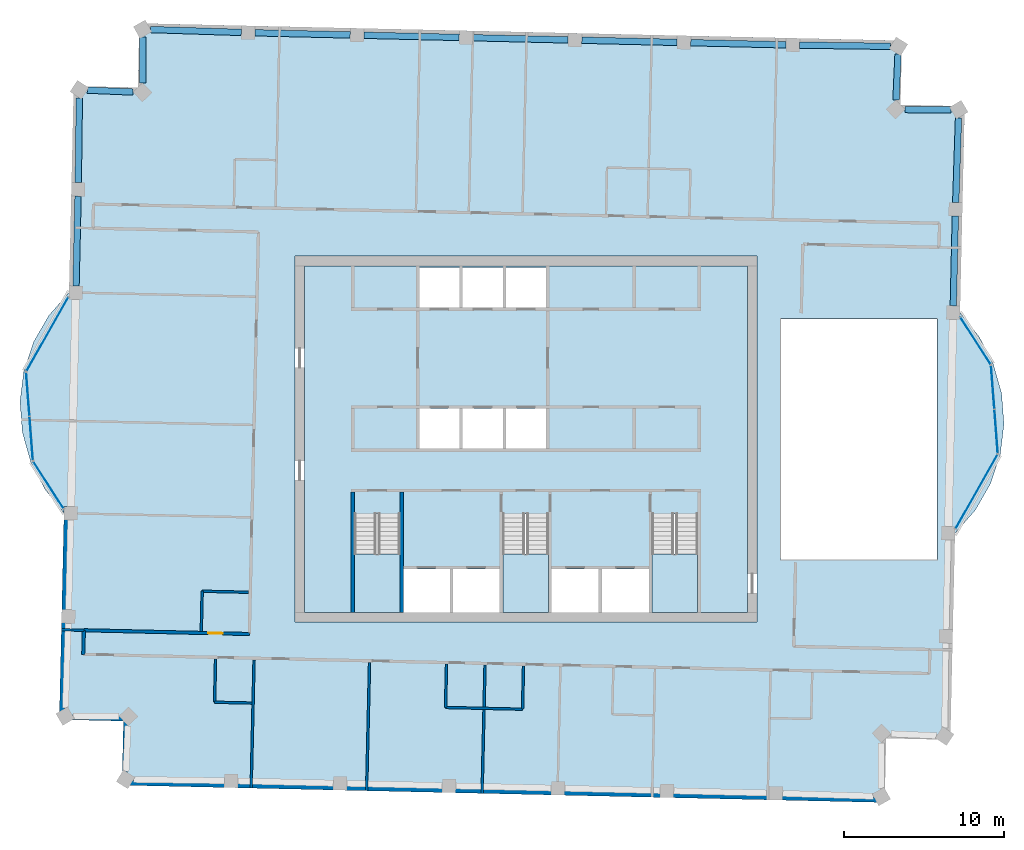
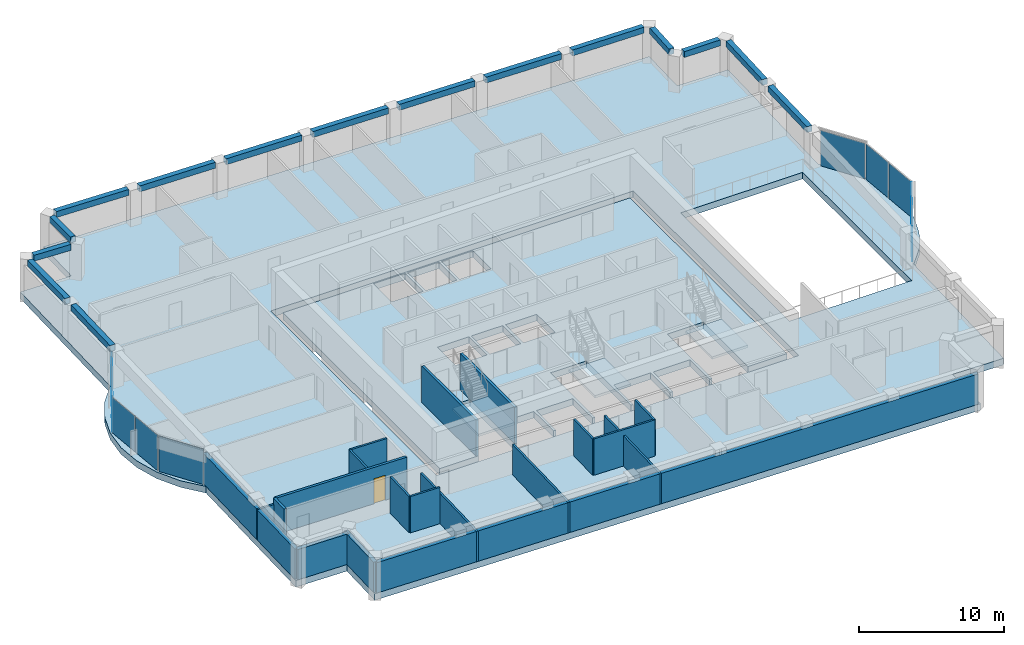
# One storey, part 5 of 11: 19 walls, 15 beams, 8 plates, 5 slabs, 1 door, 1 opening, 9 elements without a shape of their own.
"""IFC4 building model written with IfcOpenShell, lengths in metres."""

import ifcopenshell
import ifcopenshell.guid

model = None  # the IFC model being written
_history = None  # IfcOwnerHistory: only IFC2X3 demands one
_inside = {}  # id of a spatial element -> (the spatial element, [elements in it])
_under = {}  # id of a project, library or spatial element -> (it, [spatial elements below it])
_declared = {}  # id of a project -> (the project, [libraries it declares])
_typed = {}  # id of a type object -> (the type object, [elements of that type])
_made_of = {}  # id of a material, layer set ... -> (it, [elements and type objects made of it])


def new_model(schema):
    """Start an empty IFC model of exactly this schema.

    Asked for "IFC4X3", IfcOpenShell would pick the latest addendum, in which some entities
    have other attributes; the version numbers below select the first issue.
    IFC2X3 requires an IfcOwnerHistory on every rooted entity: one is made here for all.
    """
    global model, _history
    if schema == "IFC4X3":
        model = ifcopenshell.file(schema_version=(4, 3, 0, 0))
    else:
        model = ifcopenshell.file(schema=schema)
    _inside.clear()
    _under.clear()
    _declared.clear()
    _typed.clear()
    _made_of.clear()
    _history = None
    if model.schema == "IFC2X3":
        org = make("IfcOrganization", Name="unknown")
        user = make(
            "IfcPersonAndOrganization",
            ThePerson=make("IfcPerson", FamilyName="unknown"),
            TheOrganization=org,
        )
        app = make(
            "IfcApplication",
            ApplicationDeveloper=org,
            Version="unknown",
            ApplicationFullName="unknown",
            ApplicationIdentifier="unknown",
        )
        _history = make(
            "IfcOwnerHistory",
            OwningUser=user,
            OwningApplication=app,
            ChangeAction="ADDED",
            CreationDate=0,
        )
    return model


def make(cls, **values):
    """One entity of the class cls with the attributes given. An attribute that is None is left unset."""
    return model.create_entity(
        cls, **{name: value for name, value in values.items() if value is not None}
    )


def rooted(cls, **values):
    """An entity with a GlobalId (a new one), such as an element, a storey or a relation."""
    return make(cls, GlobalId=ifcopenshell.guid.new(), OwnerHistory=_history, **values)


def si_unit(unit_type, name, prefix=None):
    """IfcSIUnit, for example si_unit("LENGTHUNIT", "METRE", prefix="MILLI")."""
    return make("IfcSIUnit", UnitType=unit_type, Prefix=prefix, Name=name)


def assignment(units):
    """IfcUnitAssignment: the units of a project."""
    return None if units is None else make("IfcUnitAssignment", Units=units)


def point(xyz):
    """IfcCartesianPoint."""
    return None if xyz is None else make("IfcCartesianPoint", Coordinates=xyz)


def direction(xyz):
    """IfcDirection."""
    return None if xyz is None else make("IfcDirection", DirectionRatios=xyz)


def frame(location, z_axis=None, x_axis=None):
    """IfcAxis2Placement3D, a coordinate frame: its origin and axes. An axis left out is left unset."""
    return make(
        "IfcAxis2Placement3D",
        Location=point(location),
        Axis=direction(z_axis),
        RefDirection=direction(x_axis),
    )


def frame_2d(location, x_axis=None):
    """IfcAxis2Placement2D, a coordinate frame in the plane: its origin and x axis."""
    return make(
        "IfcAxis2Placement2D", Location=point(location), RefDirection=direction(x_axis)
    )


def origin():
    """The frame at (0, 0, 0) with its axes left unset."""
    return frame((0.0, 0.0, 0.0))


def origin_2d():
    """The frame at (0, 0) in the plane with its x axis left unset."""
    return frame_2d((0.0, 0.0))


def place(relative_to, where):
    """IfcLocalPlacement: puts the frame where relative to a parent placement (None: the world)."""
    return make(
        "IfcLocalPlacement", PlacementRelTo=relative_to, RelativePlacement=where
    )


def context(
    kind, dimensions, precision=None, world=None, true_north=None, identifier=None
):
    """IfcGeometricRepresentationContext, for example the 3D "Model" context."""
    return make(
        "IfcGeometricRepresentationContext",
        ContextIdentifier=identifier,
        ContextType=kind,
        CoordinateSpaceDimension=dimensions,
        Precision=precision,
        WorldCoordinateSystem=world,
        TrueNorth=true_north,
    )


def subcontext(parent, identifier, kind, view, scale=None):
    """IfcGeometricRepresentationSubContext, for example "Body" below "Model"."""
    return make(
        "IfcGeometricRepresentationSubContext",
        ContextIdentifier=identifier,
        ContextType=kind,
        ParentContext=parent,
        TargetScale=scale,
        TargetView=view,
    )


def project(units=None, contexts=None):
    """IfcProject with its units and contexts."""
    return rooted(
        "IfcProject",
        Name="project",
        RepresentationContexts=contexts,
        UnitsInContext=assignment(units),
    )


def spatial(cls, under=None, at=None, **own):
    """A site, building, storey or space (cls), placed at a placement, below another one or the project."""
    s = rooted(cls, ObjectPlacement=at, **own)
    if under is not None:
        _under.setdefault(under.id(), (under, []))[1].append(s)
    return s


def polyline(points):
    """IfcPolyline through the points."""
    return make("IfcPolyline", Points=[point(p) for p in points])


def profile(cls, at=None, kind="AREA", **sizes):
    """A parametric profile (cls). Its sizes go by their IFC names, for example OverallWidth=200.0."""
    return make(cls, ProfileType=kind, Position=at, **sizes)


def rectangle(**sizes):
    """IfcRectangleProfileDef."""
    return profile("IfcRectangleProfileDef", **sizes)


def outline(outer, holes=None, kind="AREA"):
    """IfcArbitraryClosedProfileDef: a profile drawn as a closed curve; with holes, ...WithVoids."""
    if holes is None:
        return make("IfcArbitraryClosedProfileDef", ProfileType=kind, OuterCurve=outer)
    return make(
        "IfcArbitraryProfileDefWithVoids",
        ProfileType=kind,
        OuterCurve=outer,
        InnerCurves=holes,
    )


def extrude(swept, where, along, depth):
    """IfcExtrudedAreaSolid: the profile swept, set in the frame where, extruded along a direction by depth."""
    return make(
        "IfcExtrudedAreaSolid",
        SweptArea=swept,
        Position=where,
        ExtrudedDirection=direction(along),
        Depth=depth,
    )


def shape(context_of_items, identifier, shape_type, items):
    """IfcShapeRepresentation: the items that make up one representation, for example the "Body"."""
    return make(
        "IfcShapeRepresentation",
        ContextOfItems=context_of_items,
        RepresentationIdentifier=identifier,
        RepresentationType=shape_type,
        Items=items,
    )


def material(Name=None, Category=None):
    """IfcMaterial."""
    return make("IfcMaterial", Name=Name, Category=Category)


def layer(
    of_material, thickness, ventilated=None, Name=None, Category=None, Priority=None
):
    """IfcMaterialLayer: one layer of a wall or slab, of a material (None: an air gap)."""
    return make(
        "IfcMaterialLayer",
        Material=of_material,
        LayerThickness=thickness,
        IsVentilated=ventilated,
        Name=Name,
        Category=Category,
        Priority=Priority,
    )


def layer_set(layers, Name=None):
    """IfcMaterialLayerSet."""
    return make("IfcMaterialLayerSet", MaterialLayers=layers, LayerSetName=Name)


def material_profile(
    of_material, cross_section, Name=None, Category=None, Priority=None
):
    """IfcMaterialProfile: a cross section and its material."""
    return make(
        "IfcMaterialProfile",
        Name=Name,
        Material=of_material,
        Profile=cross_section,
        Priority=Priority,
        Category=Category,
    )


def profile_set(profiles, Name=None, composite=None):
    """IfcMaterialProfileSet."""
    return make(
        "IfcMaterialProfileSet",
        Name=Name,
        MaterialProfiles=profiles,
        CompositeProfile=composite,
    )


def made_of(thing, what):
    """Note that an element or type object is made of a material, layer set ...; save() writes the relation."""
    if what is not None:
        _made_of.setdefault(what.id(), (what, []))[1].append(thing)
    return thing


def type_object(cls, material=None, **own):
    """A type object (cls), such as IfcWallType, which elements share."""
    return made_of(rooted(cls, **own), material)


def element(
    cls,
    number,
    at=None,
    inside=None,
    cuts=None,
    type_object=None,
    material=None,
    context=None,
    identifier="Body",
    shape_type=None,
    held_by="IfcProductDefinitionShape",
    body=None,
    shapes=None,
    **own,
):
    """One element of the class cls, such as IfcWall. Its Tag is "e" and its number.

    at: its placement. inside: the storey or other place that contains it. cuts: it is an
    opening in that element (IfcRelVoidsElement). A single representation is given by context,
    identifier, shape_type and body (its items); several are given by shapes. held_by: the class
    of the entity that holds the representations. save() writes the other relations.
    """
    e = rooted(cls, Tag="e%d" % number, ObjectPlacement=at, **own)
    if body is not None:
        shapes = [shape(context, identifier, shape_type, body)]
    if shapes is not None:
        e.Representation = make(held_by, Representations=shapes)
    if inside is not None:
        _inside.setdefault(inside.id(), (inside, []))[1].append(e)
    if cuts is not None:
        rooted(
            "IfcRelVoidsElement", RelatingBuildingElement=cuts, RelatedOpeningElement=e
        )
    if type_object is not None:
        _typed.setdefault(type_object.id(), (type_object, []))[1].append(e)
    return made_of(e, material)


def fill(opening, filler):
    """IfcRelFillsElement: the door or window that sits in an opening."""
    return rooted(
        "IfcRelFillsElement",
        RelatingOpeningElement=opening,
        RelatedBuildingElement=filler,
    )


def aggregate(whole, parts):
    """IfcRelAggregates: a whole, such as a stair, and the parts it consists of."""
    return rooted("IfcRelAggregates", RelatingObject=whole, RelatedObjects=parts)


def save(model, path):
    """Write the relations noted so far, then the file.

    IfcRelAggregates (storeys below a building ...), IfcRelContainedInSpatialStructure (elements
    in a storey), IfcRelDefinesByType, IfcRelAssociatesMaterial and IfcRelDeclares: one each for
    every whole, place, type object, material and project.
    """
    for whole, parts in _under.values():
        aggregate(whole, parts)
    for where, things in _inside.values():
        rooted(
            "IfcRelContainedInSpatialStructure",
            RelatedElements=things,
            RelatingStructure=where,
        )
    for kind, things in _typed.values():
        rooted("IfcRelDefinesByType", RelatedObjects=things, RelatingType=kind)
    for what, things in _made_of.values():
        rooted("IfcRelAssociatesMaterial", RelatedObjects=things, RelatingMaterial=what)
    for by, libraries in _declared.values():
        rooted("IfcRelDeclares", RelatingContext=by, RelatedDefinitions=libraries)
    model.write(path)


model = new_model("IFC4")

# Units and contexts
model_context = context("Model", 3, precision=1e-05, world=origin(), true_north=direction((0.0, 1.0)))
body_context = subcontext(model_context, "Body", "Model", "MODEL_VIEW")
ifc_project = project(units=[si_unit("LENGTHUNIT", "METRE"), si_unit("AREAUNIT", "SQUARE_METRE"), si_unit("VOLUMEUNIT", "CUBIC_METRE"), si_unit("PLANEANGLEUNIT", "RADIAN"), si_unit("MASSUNIT", "GRAM", prefix="KILO")], contexts=[model_context])

# Site, building, storey
site_placement = place(None, origin())
site = spatial("IfcSite", under=ifc_project, at=site_placement, CompositionType="ELEMENT")
building_placement = place(site_placement, origin())
building = spatial("IfcBuilding", under=site, at=building_placement, Name="Mangrove Gate Tower", CompositionType="ELEMENT")
storey_placement = place(building_placement, frame((0.0, 0.0, 334.300048828125)))
storey = spatial("IfcBuildingStorey", under=building, at=storey_placement, Name="L85", CompositionType="ELEMENT", Elevation=334.300048828125)

# Beams
ifc_material_1 = material(Name="Concrete C50/60", Category="concrete")
ifc_material_profile = material_profile(ifc_material_1, rectangle(XDim=0.39990234375, YDim=0.5, at=origin_2d()))
ifc_profile_set = profile_set([ifc_material_profile], Name="Concrete C50/60")
beam_type = type_object("IfcBeamType", Name="Edge beam RC 400x500 C50/60", PredefinedType="BEAM", material=ifc_profile_set)
beam_1_placement = place(storey_placement, frame((26.6337890625, 8.3115234375, 2.800048828125), z_axis=(0.022676742229, 0.999742849618, 0.0), x_axis=(-0.999742849618, 0.022676742229, 0.0)))
element("IfcBeam", 1, at=beam_1_placement, inside=storey, type_object=beam_type, Name="Edge beam L85 16", PredefinedType="BEAM", context=body_context, shape_type="SweptSolid", body=[
    extrude(rectangle(XDim=0.39990234375, YDim=0.5, at=origin_2d()), origin(), (0.0, 0.0, 1.0), 5.587646484375),
])
beam_2_placement = place(storey_placement, frame((26.7841796875, 14.747314453125, 2.800048828125), z_axis=(0.032988692106, 0.999455724979, 0.0), x_axis=(-0.999455724979, 0.032988692106, 0.0)))
element("IfcBeam", 2, at=beam_2_placement, inside=storey, type_object=beam_type, Name="Edge beam L85 17", PredefinedType="BEAM", context=body_context, shape_type="SweptSolid", body=[
    extrude(rectangle(XDim=0.39990234375, YDim=0.5, at=origin_2d()), origin(), (0.0, 0.0, 1.0), 5.2841796875),
])
beam_3_placement = place(storey_placement, frame((26.48046875, 20.53369140625, 2.800048828125), z_axis=(-0.999994153944, 0.00341936794, 0.0), x_axis=(-0.00341936794, -0.999994153944, 0.0)))
element("IfcBeam", 3, at=beam_3_placement, inside=storey, type_object=beam_type, Name="Edge beam L85 18", PredefinedType="BEAM", context=body_context, shape_type="SweptSolid", body=[
    extrude(rectangle(XDim=0.39990234375, YDim=0.5, at=origin_2d()), origin(), (0.0, 0.0, 1.0), 2.85595703125),
])
beam_4_placement = place(storey_placement, frame((23.060791015625, 21.13330078125, 2.800048828125), z_axis=(0.044307836556, 0.999017925575, 0.0), x_axis=(-0.999017925575, 0.044307836556, 0.0)))
element("IfcBeam", 4, at=beam_4_placement, inside=storey, type_object=beam_type, Name="Edge beam L85 19", PredefinedType="BEAM", context=body_context, shape_type="SweptSolid", body=[
    extrude(rectangle(XDim=0.39990234375, YDim=0.5, at=origin_2d()), origin(), (0.0, 0.0, 1.0), 2.85986328125),
])
beam_5_placement = place(storey_placement, frame((22.71337890625, 24.483642578125, 2.800048828125), z_axis=(-0.999905838505, 0.013722759339, 0.0), x_axis=(-0.013722759339, -0.999905838505, 0.0)))
element("IfcBeam", 5, at=beam_5_placement, inside=storey, type_object=beam_type, Name="Edge beam L85 20", PredefinedType="BEAM", context=body_context, shape_type="SweptSolid", body=[
    extrude(rectangle(XDim=0.39990234375, YDim=0.5, at=origin_2d()), origin(), (0.0, 0.0, 1.0), 5.657470703125),
])
beam_6_placement = place(storey_placement, frame((16.20654296875, 24.57666015625, 2.800048828125), z_axis=(-0.999742852548, 0.022676613026, 0.0), x_axis=(-0.022676613026, -0.999742852548, 0.0)))
element("IfcBeam", 6, at=beam_6_placement, inside=storey, type_object=beam_type, Name="Edge beam L85 21", PredefinedType="BEAM", context=body_context, shape_type="SweptSolid", body=[
    extrude(rectangle(XDim=0.39990234375, YDim=0.5, at=origin_2d()), origin(), (0.0, 0.0, 1.0), 5.94287109375),
])
beam_7_placement = place(storey_placement, frame((9.41552734375, 24.730712890625, 2.800048828125), z_axis=(-0.999742831422, 0.022677544399, 0.0), x_axis=(-0.022677544399, -0.999742831422, 0.0)))
element("IfcBeam", 7, at=beam_7_placement, inside=storey, type_object=beam_type, Name="Edge beam L85 22", PredefinedType="BEAM", context=body_context, shape_type="SweptSolid", body=[
    extrude(rectangle(XDim=0.39990234375, YDim=0.5, at=origin_2d()), origin(), (0.0, 0.0, 1.0), 5.942626953125),
])
beam_8_placement = place(storey_placement, frame((2.62451171875, 24.884765625, 2.800048828125), z_axis=(-0.999742852548, 0.022676613026, 0.0), x_axis=(-0.022676613026, -0.999742852548, 0.0)))
element("IfcBeam", 8, at=beam_8_placement, inside=storey, type_object=beam_type, Name="Edge beam L85 23", PredefinedType="BEAM", context=body_context, shape_type="SweptSolid", body=[
    extrude(rectangle(XDim=0.39990234375, YDim=0.5, at=origin_2d()), origin(), (0.0, 0.0, 1.0), 5.94287109375),
])
for number, where, z_axis, x_axis, name in (
    (9, (-4.16650390625, 25.038818359375, 2.800048828125), (-0.999740029609, 0.022800728023, 0.0), (-0.022800728023, -0.999740029609, 0.0), "Edge beam L85 24"),
    (10, (-10.95751953125, 25.19384765625, 2.800048828125), (-0.999743761991, 0.022636482961, 0.0), (-0.022636482961, -0.999743761991, 0.0), "Edge beam L85 25"),
):
    element("IfcBeam", number, at=place(storey_placement, frame(where, z_axis=z_axis, x_axis=x_axis)), inside=storey, type_object=beam_type, Name=name, PredefinedType="BEAM", context=body_context, shape_type="SweptSolid", body=[
        extrude(rectangle(XDim=0.39990234375, YDim=0.5, at=origin_2d()), origin(), (0.0, 0.0, 1.0), 5.942626953125),
    ])
beam_9_placement = place(storey_placement, frame((-17.74853515625, 25.3515625, 2.800048828125), z_axis=(-0.999500768178, 0.031594531343, 0.0), x_axis=(-0.031594531343, -0.999500768178, 0.0)))
element("IfcBeam", 11, at=beam_9_placement, inside=storey, type_object=beam_type, Name="Edge beam L85 26", PredefinedType="BEAM", context=body_context, shape_type="SweptSolid", body=[
    extrude(rectangle(XDim=0.39990234375, YDim=0.5, at=origin_2d()), origin(), (0.0, 0.0, 1.0), 5.656494140625),
])
beam_10_placement = place(storey_placement, frame((-23.898193359375, 25.058837890625, 2.800048828125), z_axis=(-0.001195252284, -0.999999285686, 0.0), x_axis=(0.999999285686, -0.001195252284, 0.0)))
element("IfcBeam", 12, at=beam_10_placement, inside=storey, type_object=beam_type, Name="Edge beam L85 27", PredefinedType="BEAM", context=body_context, shape_type="SweptSolid", body=[
    extrude(rectangle(XDim=0.39990234375, YDim=0.5, at=origin_2d()), origin(), (0.0, 0.0, 1.0), 2.859619140625),
])
beam_11_placement = place(storey_placement, frame((-24.49169921875, 21.635498046875, 2.800048828125), z_axis=(-0.999111608486, 0.042142541323, 0.0), x_axis=(-0.042142541323, -0.999111608486, 0.0)))
element("IfcBeam", 13, at=beam_11_placement, inside=storey, type_object=beam_type, Name="Edge beam L85 28", PredefinedType="BEAM", context=body_context, shape_type="SweptSolid", body=[
    extrude(rectangle(XDim=0.39990234375, YDim=0.5, at=origin_2d()), origin(), (0.0, 0.0, 1.0), 2.85595703125),
])
beam_12_placement = place(storey_placement, frame((-27.845458984375, 21.27294921875, 2.800048828125), z_axis=(-0.01238009154, -0.99992336373, 0.0), x_axis=(0.99992336373, -0.01238009154, 0.0)))
element("IfcBeam", 14, at=beam_12_placement, inside=storey, type_object=beam_type, Name="Edge beam L85 29", PredefinedType="BEAM", context=body_context, shape_type="SweptSolid", body=[
    extrude(rectangle(XDim=0.39990234375, YDim=0.5, at=origin_2d()), origin(), (0.0, 0.0, 1.0), 5.28515625),
])
beam_13_placement = place(storey_placement, frame((-27.92578125, 15.138427734375, 2.800048828125), z_axis=(-0.022676742229, -0.999742849618, 0.0), x_axis=(0.999742849618, -0.022676742229, 0.0)))
element("IfcBeam", 15, at=beam_13_placement, inside=storey, type_object=beam_type, Name="Edge beam L85 30", PredefinedType="BEAM", context=body_context, shape_type="SweptSolid", body=[
    extrude(rectangle(XDim=0.39990234375, YDim=0.5, at=origin_2d()), origin(), (0.0, 0.0, 1.0), 5.587646484375),
])

# Slab
ifc_material_2 = material(Name="Concrete C40/50", Category="concrete")
ifc_layer_1 = layer(ifc_material_2, 0.550048828125)
ifc_layer_set_1 = layer_set([ifc_layer_1], Name="Core floor slab 550 C40/50")
slab_type_1 = type_object("IfcSlabType", Name="Core floor slab 550 C40/50", PredefinedType="FLOOR", material=ifc_layer_set_1)
slab_1_placement = place(storey_placement, frame((0.0, 0.0, -0.550048828125)))
element("IfcSlab", 16, at=slab_1_placement, inside=storey, type_object=slab_type_1, Name="SLAB-L85-CORE-1", PredefinedType="FLOOR", context=body_context, shape_type="SweptSolid", body=[
    extrude(outline(polyline([(-13.800048828125, -10.800048828125), (-13.800048828125, 10.800048828125), (13.800048828125, 10.800048828125), (13.800048828125, -10.800048828125), (10.699951171875, -10.800048828125), (10.699951171875, -4.653076171875), (7.85009765625, -4.653076171875), (7.85009765625, -10.800048828125), (7.64990234375, -10.800048828125), (7.64990234375, -8.10009765625), (4.72509765625, -8.10009765625), (4.72509765625, -10.800048828125), (4.52490234375, -10.800048828125), (4.52490234375, -8.10009765625), (1.60009765625, -8.10009765625), (1.60009765625, -10.800048828125), (1.39990234375, -10.800048828125), (1.39990234375, -4.653076171875), (-1.449951171875, -4.653076171875), (-1.449951171875, -10.800048828125), (-1.64990234375, -10.800048828125), (-1.64990234375, -8.10009765625), (-4.550048828125, -8.10009765625), (-4.550048828125, -10.800048828125), (-4.75, -10.800048828125), (-4.75, -8.10009765625), (-7.64990234375, -8.10009765625), (-7.64990234375, -10.800048828125), (-7.85009765625, -10.800048828125), (-7.85009765625, -4.653076171875), (-10.699951171875, -4.653076171875), (-10.699951171875, -10.800048828125), (-13.800048828125, -10.800048828125)]), holes=[polyline([(-4.14990234375, 1.89990234375), (-6.64990234375, 1.89990234375), (-6.64990234375, -0.60009765625), (-4.14990234375, -0.60009765625), (-4.14990234375, 1.89990234375)]), polyline([(-1.449951171875, -0.60009765625), (-1.449951171875, 1.89990234375), (-3.949951171875, 1.89990234375), (-3.949951171875, -0.60009765625), (-1.449951171875, -0.60009765625)]), polyline([(-4.14990234375, 8.199951171875), (-4.14990234375, 10.699951171875), (-6.64990234375, 10.699951171875), (-6.64990234375, 8.199951171875), (-4.14990234375, 8.199951171875)]), polyline([(-1.449951171875, 10.699951171875), (-3.949951171875, 10.699951171875), (-3.949951171875, 8.199951171875), (-1.449951171875, 8.199951171875), (-1.449951171875, 10.699951171875)]), polyline([(1.25, -0.60009765625), (1.25, 1.89990234375), (-1.25, 1.89990234375), (-1.25, -0.60009765625), (1.25, -0.60009765625)]), polyline([(1.25, 8.199951171875), (1.25, 10.699951171875), (-1.25, 10.699951171875), (-1.25, 8.199951171875), (1.25, 8.199951171875)])]), origin(), (0.0, 0.0, 1.0), 0.550048828125),
])

# Stair, slab
ifc_material_3 = material(Name="Concrete C40/50", Category="concrete")
stair_type = type_object("IfcStairType", Name="Core stair 1350", PredefinedType="HALF_TURN_STAIR", material=ifc_material_3)
stair_1_placement = place(storey_placement, origin())
stair_1 = element("IfcStair", 17, at=stair_1_placement, inside=storey, type_object=stair_type, Name="L85 Stair 1", PredefinedType="HALF_TURN_STAIR")
ifc_material_4 = material(Name="Concrete C40/50", Category="concrete")
ifc_layer_2 = layer(ifc_material_4, 0.199951171875)
ifc_layer_set_2 = layer_set([ifc_layer_2], Name="Core stair landing 200")
slab_type_2 = type_object("IfcSlabType", Name="Core stair landing 200", PredefinedType="LANDING", material=ifc_layer_set_2)
slab_2_placement = place(storey_placement, frame((0.0, 0.0, 1.599853515625)))
slab_2 = element("IfcSlab", 18, at=slab_2_placement, type_object=slab_type_2, Name="ST1 landing 1", PredefinedType="LANDING", context=body_context, shape_type="SweptSolid", body=[
    extrude(outline(polyline([(-10.699951171875, -7.169921875), (-10.699951171875, -10.800048828125), (-7.85009765625, -10.800048828125), (-7.85009765625, -7.169921875), (-10.699951171875, -7.169921875)])), origin(), (0.0, 0.0, 1.0), 0.2001953125),
])
aggregate(stair_1, [slab_2])

stair_2_placement = place(storey_placement, origin())
stair_2 = element("IfcStair", 19, at=stair_2_placement, inside=storey, type_object=stair_type, Name="L85 Stair 2", PredefinedType="HALF_TURN_STAIR")
slab_3_placement = place(storey_placement, frame((0.0, 0.0, 1.599853515625)))
slab_3 = element("IfcSlab", 20, at=slab_3_placement, type_object=slab_type_2, Name="ST2 landing 1", PredefinedType="LANDING", context=body_context, shape_type="SweptSolid", body=[
    extrude(outline(polyline([(-1.449951171875, -7.169921875), (-1.449951171875, -10.800048828125), (1.39990234375, -10.800048828125), (1.39990234375, -7.169921875), (-1.449951171875, -7.169921875)])), origin(), (0.0, 0.0, 1.0), 0.2001953125),
])
aggregate(stair_2, [slab_3])

stair_3_placement = place(storey_placement, origin())
stair_3 = element("IfcStair", 21, at=stair_3_placement, inside=storey, type_object=stair_type, Name="L85 Stair 3", PredefinedType="HALF_TURN_STAIR")
slab_4_placement = place(storey_placement, frame((0.0, 0.0, 1.599853515625)))
slab_4 = element("IfcSlab", 22, at=slab_4_placement, type_object=slab_type_2, Name="ST3 landing 1", PredefinedType="LANDING", context=body_context, shape_type="SweptSolid", body=[
    extrude(outline(polyline([(7.85009765625, -7.169921875), (7.85009765625, -10.800048828125), (10.699951171875, -10.800048828125), (10.699951171875, -7.169921875), (7.85009765625, -7.169921875)])), origin(), (0.0, 0.0, 1.0), 0.2001953125),
])
aggregate(stair_3, [slab_4])

# Curtain wall, plate
ifc_material_5 = material(Name="Aluminium and glass curtain wall", Category="aluminium")
curtain_wall_type = type_object("IfcCurtainWallType", Name="Crown garden glazing wall", PredefinedType="NOTDEFINED", material=ifc_material_5)
curtain_wall_1_placement = place(storey_placement, origin())
curtain_wall_1 = element("IfcCurtainWall", 23, at=curtain_wall_1_placement, inside=storey, type_object=curtain_wall_type, Name="Crown garden glazing E1f1", PredefinedType="NOTDEFINED")
ifc_material_6 = material(Name="Laminated low-e glass", Category="glass")
ifc_layer_3 = layer(ifc_material_6, 0.02587890625)
ifc_layer_set_3 = layer_set([ifc_layer_3], Name="Crown garden glazing panel 26")
plate_type = type_object("IfcPlateType", Name="Crown garden glazing panel 26", PredefinedType="CURTAIN_PANEL", material=ifc_layer_set_3)
plate_1_placement = place(storey_placement, frame((28.081787109375, -3.2763671875, 0.0), z_axis=(0.0, 0.0, 1.0), x_axis=(0.492565947646, 0.870275121568, 0.0)))
plate_1 = element("IfcPlate", 24, at=plate_1_placement, type_object=plate_type, Name="CWC panel 1.1", PredefinedType="CURTAIN_PANEL", context=body_context, shape_type="SweptSolid", body=[
    extrude(rectangle(XDim=5.277587890625, YDim=0.02587890625, at=origin_2d()), origin(), (0.0, 0.0, 1.0), 2.989990234375),
])
aggregate(curtain_wall_1, [plate_1])

# Curtain wall, plates
curtain_wall_2_placement = place(storey_placement, origin())
curtain_wall_2 = element("IfcCurtainWall", 25, at=curtain_wall_2_placement, inside=storey, type_object=curtain_wall_type, Name="Crown garden glazing E1f2", PredefinedType="NOTDEFINED")
plate_2_placement = place(storey_placement, frame((29.302734375, 0.4765625, 0.0), z_axis=(0.0, 0.0, 1.0), x_axis=(-0.077023348386, 0.997029289341, 0.0)))
plate_2 = element("IfcPlate", 26, at=plate_2_placement, type_object=plate_type, Name="CWC panel 1.1", PredefinedType="CURTAIN_PANEL", context=body_context, shape_type="SweptSolid", body=[
    extrude(rectangle(XDim=2.69677734375, YDim=0.02587890625, at=origin_2d()), origin(), (0.0, 0.0, 1.0), 2.989990234375),
])
plate_3_placement = place(storey_placement, frame((29.09033203125, 3.22509765625, 0.0), z_axis=(0.0, 0.0, 1.0), x_axis=(-0.077023348386, 0.997029289341, 0.0)))
plate_3 = element("IfcPlate", 27, at=plate_3_placement, type_object=plate_type, Name="CWC panel 2.1", PredefinedType="CURTAIN_PANEL", context=body_context, shape_type="SweptSolid", body=[
    extrude(rectangle(XDim=2.69677734375, YDim=0.02587890625, at=origin_2d()), origin(), (0.0, 0.0, 1.0), 2.989990234375),
])
aggregate(curtain_wall_2, [plate_2, plate_3])

# Curtain wall, plate
curtain_wall_3_placement = place(storey_placement, origin())
curtain_wall_3 = element("IfcCurtainWall", 28, at=curtain_wall_3_placement, inside=storey, type_object=curtain_wall_type, Name="Crown garden glazing E1f3", PredefinedType="NOTDEFINED")
plate_4_placement = place(storey_placement, frame((28.017578125, 6.13037109375, 0.0), z_axis=(0.0, 0.0, 1.0), x_axis=(-0.540496498899, 0.841346263246, 0.0)))
plate_4 = element("IfcPlate", 29, at=plate_4_placement, type_object=plate_type, Name="CWC panel 1.1", PredefinedType="CURTAIN_PANEL", context=body_context, shape_type="SweptSolid", body=[
    extrude(rectangle(XDim=3.447998046875, YDim=0.02587890625, at=origin_2d()), origin(), (0.0, 0.0, 1.0), 2.989990234375),
])
aggregate(curtain_wall_3, [plate_4])

curtain_wall_4_placement = place(storey_placement, origin())
curtain_wall_4 = element("IfcCurtainWall", 30, at=curtain_wall_4_placement, inside=storey, type_object=curtain_wall_type, Name="Crown garden glazing W9f1", PredefinedType="NOTDEFINED")
plate_5_placement = place(storey_placement, frame((-29.83203125, 6.54345703125, 0.0), z_axis=(0.0, 0.0, 1.0), x_axis=(-0.492585217246, -0.870264214909, 0.0)))
plate_5 = element("IfcPlate", 31, at=plate_5_placement, type_object=plate_type, Name="CWC panel 1.1", PredefinedType="CURTAIN_PANEL", context=body_context, shape_type="SweptSolid", body=[
    extrude(rectangle(XDim=5.278076171875, YDim=0.02587890625, at=origin_2d()), origin(), (0.0, 0.0, 1.0), 2.989990234375),
])
aggregate(curtain_wall_4, [plate_5])

# Curtain wall, plates
curtain_wall_5_placement = place(storey_placement, origin())
curtain_wall_5 = element("IfcCurtainWall", 32, at=curtain_wall_5_placement, inside=storey, type_object=curtain_wall_type, Name="Crown garden glazing W9f2", PredefinedType="NOTDEFINED")
plate_6_placement = place(storey_placement, frame((-31.052978515625, 2.79052734375, 0.0), z_axis=(0.0, 0.0, 1.0), x_axis=(0.077023348229, -0.997029289353, 0.0)))
plate_6 = element("IfcPlate", 33, at=plate_6_placement, type_object=plate_type, Name="CWC panel 1.1", PredefinedType="CURTAIN_PANEL", context=body_context, shape_type="SweptSolid", body=[
    extrude(rectangle(XDim=2.69677734375, YDim=0.02587890625, at=origin_2d()), origin(), (0.0, 0.0, 1.0), 2.989990234375),
])
plate_7_placement = place(storey_placement, frame((-30.8408203125, 0.0419921875, 0.0), z_axis=(0.0, 0.0, 1.0), x_axis=(0.077023348229, -0.997029289353, 0.0)))
plate_7 = element("IfcPlate", 34, at=plate_7_placement, type_object=plate_type, Name="CWC panel 2.1", PredefinedType="CURTAIN_PANEL", context=body_context, shape_type="SweptSolid", body=[
    extrude(rectangle(XDim=2.69677734375, YDim=0.02587890625, at=origin_2d()), origin(), (0.0, 0.0, 1.0), 2.989990234375),
])
aggregate(curtain_wall_5, [plate_6, plate_7])

# Curtain wall, plate
curtain_wall_6_placement = place(storey_placement, origin())
curtain_wall_6 = element("IfcCurtainWall", 35, at=curtain_wall_6_placement, inside=storey, type_object=curtain_wall_type, Name="Crown garden glazing W9f3", PredefinedType="NOTDEFINED")
plate_8_placement = place(storey_placement, frame((-29.767822265625, -2.86328125, 0.0), z_axis=(0.0, 0.0, 1.0), x_axis=(0.540510899309, -0.84133701198, 0.0)))
plate_8 = element("IfcPlate", 36, at=plate_8_placement, type_object=plate_type, Name="CWC panel 1.1", PredefinedType="CURTAIN_PANEL", context=body_context, shape_type="SweptSolid", body=[
    extrude(rectangle(XDim=3.448486328125, YDim=0.02587890625, at=origin_2d()), origin(), (0.0, 0.0, 1.0), 2.989990234375),
])
aggregate(curtain_wall_6, [plate_8])

# Slab
ifc_material_7 = material(Name="Concrete C40/50", Category="concrete")
ifc_layer_4 = layer(ifc_material_7, 0.550048828125)
ifc_layer_set_4 = layer_set([ifc_layer_4], Name="Floor slab 550 C40/50")
slab_type_3 = type_object("IfcSlabType", Name="Floor slab 550 C40/50", PredefinedType="FLOOR", material=ifc_layer_set_4)
slab_5_placement = place(storey_placement, frame((0.0, 0.0, -0.550048828125)))
element("IfcSlab", 37, at=slab_5_placement, inside=storey, type_object=slab_type_3, Name="Floor slab L85", PredefinedType="FLOOR", context=body_context, shape_type="SweptSolid", body=[
    extrude(outline(polyline([(-25.182861328125, -21.571044921875), (22.35498046875, -22.649658203125), (22.445556640625, -18.650634765625), (26.444580078125, -18.741455078125), (26.736572265625, -5.8701171875), (27.999755859375, -4.43359375), (28.952880859375, -2.775146484375), (29.558349609375, -0.9609375), (29.7919921875, 0.9375), (29.64453125, 2.8447265625), (29.1220703125, 4.684814453125), (28.2451171875, 6.384521484375), (27.048583984375, 7.876953125), (27.3408203125, 20.748291015625), (23.341796875, 20.839111328125), (23.4326171875, 24.838134765625), (-24.105224609375, 25.916748046875), (-24.196044921875, 21.91796875), (-28.195068359375, 22.008544921875), (-28.487060546875, 9.13720703125), (-29.75, 7.70068359375), (-30.703125, 6.042236328125), (-31.30859375, 4.22802734375), (-31.542236328125, 2.32958984375), (-31.39501953125, 0.42236328125), (-30.87255859375, -1.417724609375), (-29.99560546875, -3.117431640625), (-28.799072265625, -4.60986328125), (-29.091064453125, -17.481201171875), (-25.092041015625, -17.572021484375), (-25.182861328125, -21.571044921875)]), holes=[polyline([(15.89990234375, 7.5), (25.623046875, 7.5), (25.623046875, -7.5), (15.89990234375, -7.5), (15.89990234375, 7.5)]), polyline([(-14.39990234375, -11.39990234375), (-14.39990234375, 11.39990234375), (14.39990234375, 11.39990234375), (14.39990234375, -11.39990234375), (-14.39990234375, -11.39990234375)])]), origin(), (0.0, 0.0, 1.0), 0.550048828125),
])

# Walls
ifc_material_8 = material(Name="Concrete C50/60", Category="concrete")
ifc_layer_5 = layer(ifc_material_8, 0.199951171875)
ifc_layer_set_5 = layer_set([ifc_layer_5], Name="Core stair wall 200 C50/60")
wall_type_1 = type_object("IfcWallType", Name="Core stair wall 200 C50/60", PredefinedType="SHEAR", material=ifc_layer_set_5)
for number, where, z_axis, x_axis, name in (
    (38, (-10.800048828125, -10.800048828125, 0.0), (0.0, 0.0, 1.0), (0.0, 1.0, 0.0), "WALL-L85-CORE-9"),
    (39, (-7.75, -10.800048828125, 0.0), (0.0, 0.0, 1.0), (0.0, 1.0, 0.0), "WALL-L85-CORE-10"),
):
    element("IfcWall", number, at=place(storey_placement, frame(where, z_axis=z_axis, x_axis=x_axis)), inside=storey, type_object=wall_type_1, Name=name, PredefinedType="SHEAR", context=body_context, shape_type="SweptSolid", body=[
        extrude(rectangle(XDim=7.5, YDim=0.199951171875, at=frame_2d((3.75, 0.0))), origin(), (0.0, 0.0, 1.0), 3.050048828125),
    ])
ifc_material_9 = material(Name="Gypsum board on steel stud, EI 60", Category="steel")
ifc_layer_6 = layer(ifc_material_9, 0.199951171875)
ifc_layer_set_6 = layer_set([ifc_layer_6], Name="Corridor wall EI 60")
wall_type_2 = type_object("IfcWallType", Name="Corridor wall EI 60", PredefinedType="PARTITIONING", material=ifc_layer_set_6)
wall_1_placement = place(storey_placement, frame((-27.597900390625, -13.4140625, 0.0), z_axis=(0.0, 0.0, 1.0), x_axis=(0.022617910375, 0.999744182344, 0.0)))
element("IfcWall", 40, at=wall_1_placement, inside=storey, type_object=wall_type_2, Name="WALL-L85-017", PredefinedType="PARTITIONING", context=body_context, shape_type="SweptSolid", body=[
    extrude(rectangle(XDim=1.50048828125, YDim=0.199951171875, at=frame_2d((0.750244140625, 0.0))), origin(), (0.0, 0.0, 1.0), 3.050048828125),
])

# Wall, opening, door
wall_2_placement = place(storey_placement, frame((-27.56396484375, -11.9140625, 0.0), z_axis=(0.0, 0.0, 1.0), x_axis=(0.999740930851, -0.02276117706, 0.0)))
wall_2 = element("IfcWall", 41, at=wall_2_placement, inside=storey, type_object=wall_type_2, Name="WALL-L85-020", PredefinedType="PARTITIONING", context=body_context, shape_type="SweptSolid", body=[
    extrude(rectangle(XDim=10.318603515625, YDim=0.199951171875, at=frame_2d((5.1591796875, 0.0))), origin(), (0.0, 0.0, 1.0), 3.050048828125),
])
opening_placement = place(wall_2_placement, frame((7.751953125, 0.0, 0.0)))
opening = element("IfcOpeningElement", 42, at=opening_placement, cuts=wall_2, Name="Opening SD", PredefinedType="OPENING", context=body_context, shape_type="SweptSolid", body=[
    extrude(rectangle(XDim=0.89990234375, YDim=2.10009765625, at=frame_2d((0.449951171875, 1.050048828125))), frame((0.0, 0.10986328125, 0.0), z_axis=(0.0, -1.0, 0.0), x_axis=(1.0, 0.0, 0.0)), (0.0, 0.0, 1.0), 0.219970703125),
])
ifc_material_10 = material(Name="Timber door leaf", Category="wood")
door_type = type_object("IfcDoorType", Name="Service room door 900", OperationType="SINGLE_SWING_LEFT", PredefinedType="DOOR", material=ifc_material_10)
door_placement = place(opening_placement, origin())
door = element("IfcDoor", 43, at=door_placement, inside=storey, type_object=door_type, Name="DOOR-L85-AWC-c5a", OperationType="SINGLE_SWING_LEFT", OverallHeight=2.10009765625, OverallWidth=0.89990234375, PredefinedType="DOOR", context=body_context, shape_type="SweptSolid", body=[
    extrude(rectangle(XDim=0.89990234375, YDim=2.10009765625, at=frame_2d((0.449951171875, 1.050048828125))), frame((0.0, 0.02490234375, 0.0), z_axis=(0.0, -1.0, 0.0), x_axis=(1.0, 0.0, 0.0)), (0.0, 0.0, 1.0), 0.050048828125),
])
fill(opening, door)

# Walls
ifc_material_11 = material(Name="Limestone", Category="masonry")
ifc_layer_7 = layer(ifc_material_11, 0.0400390625, Name="Limestone cladding")
ifc_material_12 = material(Name="Ventilated air gap")
ifc_layer_8 = layer(ifc_material_12, 0.0400390625, Name="Ventilated cavity")
ifc_material_13 = material(Name="Mineral wool insulation")
ifc_layer_9 = layer(ifc_material_13, 0.06005859375, Name="Insulation")
ifc_material_14 = material(Name="Breather membrane")
ifc_layer_10 = layer(ifc_material_14, 0.001953125, Name="Breather membrane")
ifc_material_15 = material(Name="Concrete C20/25 blockwork", Category="masonry")
ifc_layer_11 = layer(ifc_material_15, 0.14990234375, Name="Blockwork backing wall")
ifc_material_16 = material(Name="Gypsum plaster")
ifc_layer_12 = layer(ifc_material_16, 0.008056640625, Name="Internal plaster")
ifc_layer_set_7 = layer_set([ifc_layer_7, ifc_layer_8, ifc_layer_9, ifc_layer_10, ifc_layer_11, ifc_layer_12], Name="External wall 300 limestone cladding")
wall_type_3 = type_object("IfcWallType", Name="External wall 300 limestone cladding", PredefinedType="SOLIDWALL", material=ifc_layer_set_7)
wall_3_placement = place(storey_placement, frame((-28.638916015625, -4.18896484375, 0.0), z_axis=(0.0, 0.0, 1.0), x_axis=(-0.022744179961, -0.999741317681, 0.0)))
element("IfcWall", 44, at=wall_3_placement, inside=storey, type_object=wall_type_3, Name="WALL-L85-W10s1", PredefinedType="SOLIDWALL", context=body_context, shape_type="SweptSolid", body=[
    extrude(rectangle(XDim=13.1494140625, YDim=0.300048828125, at=frame_2d((6.57470703125, 0.0))), origin(), (0.0, 0.0, 1.0), 2.550048828125),
])
wall_4_placement = place(storey_placement, frame((-28.93798828125, -17.3349609375, 0.0), z_axis=(0.0, 0.0, 1.0), x_axis=(0.999746353029, -0.022521758502, 0.0)))
element("IfcWall", 45, at=wall_4_placement, inside=storey, type_object=wall_type_3, Name="WALL-L85-S11", PredefinedType="SOLIDWALL", context=body_context, shape_type="SweptSolid", body=[
    extrude(rectangle(XDim=4.0, YDim=0.300048828125, at=frame_2d((2.0, 0.0))), origin(), (0.0, 0.0, 1.0), 2.550048828125),
])
wall_5_placement = place(storey_placement, frame((-24.93310546875, -17.159912109375, 0.0), z_axis=(0.0, 0.0, 1.0), x_axis=(-0.022724005797, -0.999741776441, 0.0)))
element("IfcWall", 46, at=wall_5_placement, inside=storey, type_object=wall_type_3, Name="WALL-L85-W12s1", PredefinedType="SOLIDWALL", context=body_context, shape_type="SweptSolid", body=[
    extrude(rectangle(XDim=4.265380859375, YDim=0.300048828125, at=frame_2d((2.1328125, 0.0))), origin(), (0.0, 0.0, 1.0), 2.550048828125),
])
wall_6_placement = place(storey_placement, frame((-25.030029296875, -21.424072265625, 0.0), z_axis=(0.0, 0.0, 1.0), x_axis=(0.9997425899, -0.022688189451, 0.0)))
element("IfcWall", 47, at=wall_6_placement, inside=storey, type_object=wall_type_3, Name="WALL-L85-S13", PredefinedType="SOLIDWALL", context=body_context, shape_type="SweptSolid", body=[
    extrude(rectangle(XDim=47.250244140625, YDim=0.300048828125, at=frame_2d((23.625, 0.0))), origin(), (0.0, 0.0, 1.0), 2.550048828125),
])
ifc_material_17 = material(Name="Gypsum board on steel stud, EI 60", Category="steel")
ifc_layer_13 = layer(ifc_material_17, 0.14990234375)
ifc_layer_set_8 = layer_set([ifc_layer_13], Name="Party wall 150 EI 60")
wall_type_4 = type_object("IfcWallType", Name="Party wall 150 EI 60", PredefinedType="PARTITIONING", material=ifc_layer_set_8)
wall_7_placement = place(storey_placement, frame((-17.135009765625, -21.75390625, 0.0), z_axis=(0.0, 0.0, 1.0), x_axis=(0.022766465539, 0.999740810434, 0.0)))
element("IfcWall", 48, at=wall_7_placement, inside=storey, type_object=wall_type_4, Name="WALL-L85-001", PredefinedType="PARTITIONING", context=body_context, shape_type="SweptSolid", body=[
    extrude(rectangle(XDim=7.999755859375, YDim=0.14990234375, at=frame_2d((4.0, 0.0))), origin(), (0.0, 0.0, 1.0), 2.550048828125),
])
for number, where, z_axis, x_axis, name in (
    (49, (-9.93701171875, -21.9169921875, 0.0), (0.0, 0.0, 1.0), (0.022765770952, 0.999740826251, 0.0), "WALL-L85-002"),
    (50, (-2.739013671875, -22.080078125, 0.0), (0.0, 0.0, 1.0), (0.022765770952, 0.999740826251, 0.0), "WALL-L85-003"),
):
    element("IfcWall", number, at=place(storey_placement, frame(where, z_axis=z_axis, x_axis=x_axis)), inside=storey, type_object=wall_type_4, Name=name, PredefinedType="PARTITIONING", context=body_context, shape_type="SweptSolid", body=[
        extrude(rectangle(XDim=8.0, YDim=0.14990234375, at=frame_2d((4.0, 0.0))), origin(), (0.0, 0.0, 1.0), 2.550048828125),
    ])
wall_8_placement = place(storey_placement, frame((-19.4140625, -16.39990234375, 0.0), z_axis=(0.0, 0.0, 1.0), x_axis=(0.999740260747, -0.02279059109, 0.0)))
element("IfcWall", 51, at=wall_8_placement, inside=storey, type_object=wall_type_4, Name="WALL-L85-011", PredefinedType="PARTITIONING", context=body_context, shape_type="SweptSolid", body=[
    extrude(rectangle(XDim=2.324462890625, YDim=0.14990234375, at=frame_2d((1.162109375, 0.0))), origin(), (0.0, 0.0, 1.0), 3.050048828125),
])
wall_9_placement = place(storey_placement, frame((-19.4140625, -16.39990234375, 0.0), z_axis=(0.0, 0.0, 1.0), x_axis=(0.02260842146, 0.999744396973, 0.0)))
element("IfcWall", 52, at=wall_9_placement, inside=storey, type_object=wall_type_4, Name="WALL-L85-012", PredefinedType="PARTITIONING", context=body_context, shape_type="SweptSolid", body=[
    extrude(rectangle(XDim=2.69970703125, YDim=0.14990234375, at=frame_2d((1.349853515625, 0.0))), origin(), (0.0, 0.0, 1.0), 3.050048828125),
])
wall_10_placement = place(storey_placement, frame((-5.01806640625, -16.72705078125, 0.0), z_axis=(0.0, 0.0, 1.0), x_axis=(0.999742701292, -0.022683280499, 0.0)))
element("IfcWall", 53, at=wall_10_placement, inside=storey, type_object=wall_type_4, Name="WALL-L85-013", PredefinedType="PARTITIONING", context=body_context, shape_type="SweptSolid", body=[
    extrude(rectangle(XDim=4.80029296875, YDim=0.14990234375, at=frame_2d((2.400146484375, 0.0))), origin(), (0.0, 0.0, 1.0), 3.050048828125),
])
for number, where, z_axis, x_axis, name in (
    (54, (-5.01806640625, -16.72705078125, 0.0), (0.0, 0.0, 1.0), (0.02260842146, 0.999744396973, 0.0), "WALL-L85-014"),
    (55, (-0.218994140625, -16.8359375, 0.0), (0.0, 0.0, 1.0), (0.02260842146, 0.999744396973, 0.0), "WALL-L85-015"),
):
    element("IfcWall", number, at=place(storey_placement, frame(where, z_axis=z_axis, x_axis=x_axis)), inside=storey, type_object=wall_type_4, Name=name, PredefinedType="PARTITIONING", context=body_context, shape_type="SweptSolid", body=[
        extrude(rectangle(XDim=2.69970703125, YDim=0.14990234375, at=frame_2d((1.349853515625, 0.0))), origin(), (0.0, 0.0, 1.0), 3.050048828125),
    ])
wall_11_placement = place(storey_placement, frame((-28.964111328125, -11.883056640625, 0.0), z_axis=(0.0, 0.0, 1.0), x_axis=(0.999740667531, -0.022772739949, 0.0)))
element("IfcWall", 56, at=wall_11_placement, inside=storey, type_object=wall_type_4, Name="WALL-L85-019", PredefinedType="PARTITIONING", context=body_context, shape_type="SweptSolid", body=[
    extrude(rectangle(XDim=1.404296875, YDim=0.14990234375, at=frame_2d((0.7021484375, 0.0))), origin(), (0.0, 0.0, 1.0), 2.550048828125),
])
wall_12_placement = place(storey_placement, frame((-20.243896484375, -11.98095703125, 0.0), z_axis=(0.0, 0.0, 1.0), x_axis=(0.02274801823, 0.999741230352, 0.0)))
element("IfcWall", 57, at=wall_12_placement, inside=storey, type_object=wall_type_4, Name="WALL-L85-021", PredefinedType="PARTITIONING", context=body_context, shape_type="SweptSolid", body=[
    extrude(rectangle(XDim=2.500732421875, YDim=0.14990234375, at=frame_2d((1.25048828125, 0.0))), origin(), (0.0, 0.0, 1.0), 3.050048828125),
])
wall_13_placement = place(storey_placement, frame((-20.18798828125, -9.48095703125, 0.0), z_axis=(0.0, 0.0, 1.0), x_axis=(0.999739657619, -0.022817032779, 0.0)))
element("IfcWall", 58, at=wall_13_placement, inside=storey, type_object=wall_type_4, Name="WALL-L85-026", PredefinedType="PARTITIONING", context=body_context, shape_type="SweptSolid", body=[
    extrude(rectangle(XDim=2.899658203125, YDim=0.14990234375, at=frame_2d((1.44970703125, 0.0))), origin(), (0.0, 0.0, 1.0), 3.050048828125),
])

save(model, "model.ifc")
